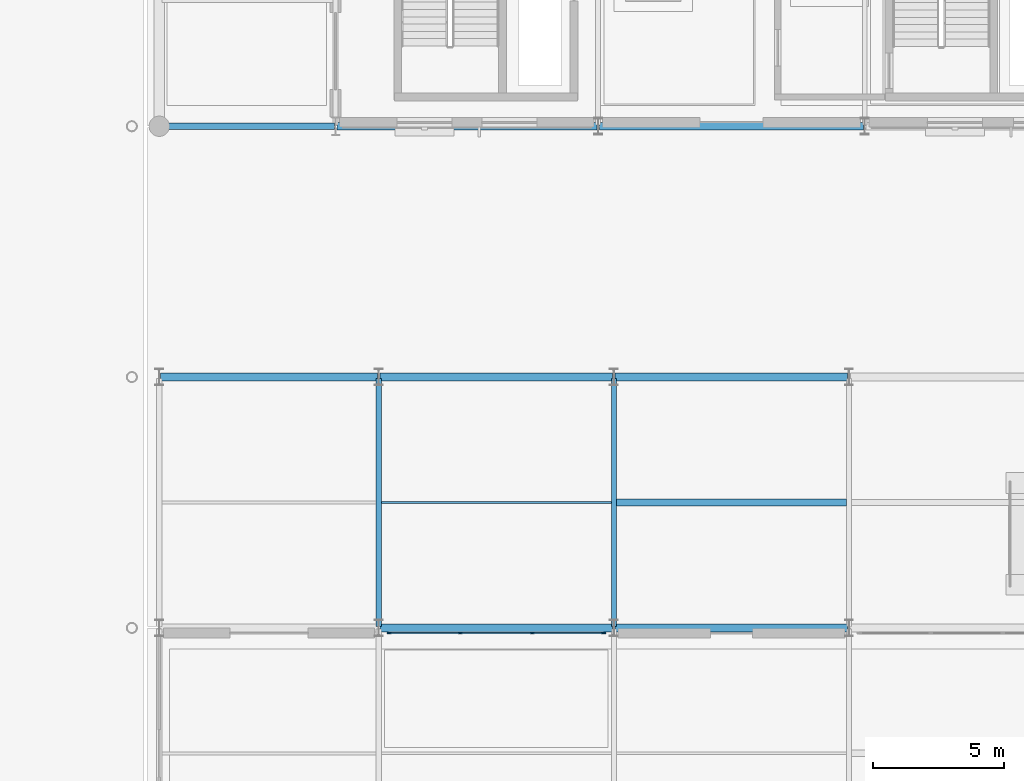
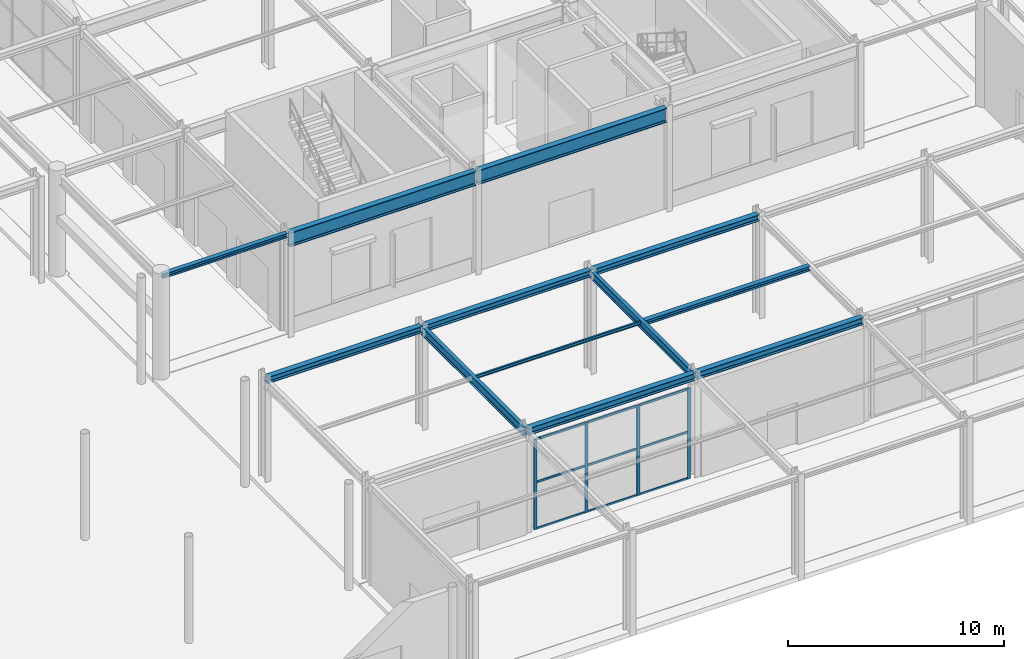
# One storey, part 30 of 113: 13 members, 12 beams, 1 element without a shape of its own.
"""IFC4 building model written with IfcOpenShell, lengths in metres."""

from ifc_helpers import new_model, si_unit, direction, frame, origin, origin_2d, place, context, subcontext, project, spatial, rectangle, i_section, extrude, material, layer, layer_set, material_profile, profile_set, type_object, element, aggregate, save


model = new_model("IFC4")

# Units and contexts
model_context = context("Model", 3, precision=1e-05, world=origin(), true_north=direction((0.0, 1.0)))
body_context = subcontext(model_context, "Body", "Model", "MODEL_VIEW")
ifc_project = project(units=[si_unit("LENGTHUNIT", "METRE"), si_unit("AREAUNIT", "SQUARE_METRE"), si_unit("VOLUMEUNIT", "CUBIC_METRE"), si_unit("PLANEANGLEUNIT", "RADIAN"), si_unit("MASSUNIT", "GRAM", prefix="KILO")], contexts=[model_context])

# Site, building, storey
site_placement = place(None, origin())
site = spatial("IfcSite", under=ifc_project, at=site_placement, CompositionType="ELEMENT")
building_placement = place(site_placement, origin())
building = spatial("IfcBuilding", under=site, at=building_placement, Name="Myrtia Square Station", CompositionType="ELEMENT")
storey_placement = place(building_placement, origin())
storey = spatial("IfcBuildingStorey", under=building, at=storey_placement, Name="L00", CompositionType="ELEMENT", Elevation=0.0)

# Beams
ifc_material_1 = material(Name="Steel S355", Category="steel")
ifc_material_profile_1 = material_profile(ifc_material_1, i_section(OverallWidth=0.300048828125, OverallDepth=0.360107421875, WebThickness=0.012451171875, FlangeThickness=0.0224609375, FilletRadius=0.027099609375, at=origin_2d()), Name="HEB 360")
ifc_profile_set_1 = profile_set([ifc_material_profile_1], Name="Steel S355")
beam_type_1 = type_object("IfcBeamType", Name="BM-HEB360", PredefinedType="BEAM", material=ifc_profile_set_1)
beam_1_placement = place(storey_placement, frame((72.64990234375, 19.199951171875, 5.580078125), z_axis=(1.0, 0.0, 0.0), x_axis=(0.0, 1.0, 0.0)))
element("IfcBeam", 1, at=beam_1_placement, inside=storey, type_object=beam_type_1, Name="Structural girder BMX-L00-0339", PredefinedType="BEAM", context=body_context, shape_type="SweptSolid", body=[
    extrude(i_section(OverallWidth=0.300048828125, OverallDepth=0.360107421875, WebThickness=0.012451171875, FlangeThickness=0.0224609375, FilletRadius=0.027099609375, at=origin_2d()), origin(), (0.0, 0.0, 1.0), 8.300048828125),
])
for number, where, z_axis, x_axis, name in (
    (2, (81.050048828125, 19.199951171875, 5.580078125), (1.0, 0.0, 0.0), (0.0, 1.0, 0.0), "Structural girder BMX-L00-0340"),
    (3, (90.050048828125, 19.199951171875, 5.580078125), (1.0, 0.0, 0.0), (0.0, 1.0, 0.0), "Structural girder BMX-L00-0341"),
):
    element("IfcBeam", number, at=place(storey_placement, frame(where, z_axis=z_axis, x_axis=x_axis)), inside=storey, type_object=beam_type_1, Name=name, PredefinedType="BEAM", context=body_context, shape_type="SweptSolid", body=[
        extrude(i_section(OverallWidth=0.300048828125, OverallDepth=0.360107421875, WebThickness=0.012451171875, FlangeThickness=0.0224609375, FilletRadius=0.027099609375, at=origin_2d()), origin(), (0.0, 0.0, 1.0), 8.89990234375),
    ])
ifc_material_profile_2 = material_profile(ifc_material_1, i_section(OverallWidth=0.300048828125, OverallDepth=0.39990234375, WebThickness=0.013427734375, FlangeThickness=0.02392578125, FilletRadius=0.027099609375, at=origin_2d()), Name="HEB 400")
ifc_profile_set_2 = profile_set([ifc_material_profile_2], Name="Steel S355")
beam_type_2 = type_object("IfcBeamType", Name="BM-HEB400", PredefinedType="BEAM", material=ifc_profile_set_2)
for number, where, z_axis, x_axis, name in (
    (4, (81.050048828125, 9.60009765625, 5.56005859375), (1.0, 0.0, 0.0), (0.0, 1.0, 0.0), "Structural girder BMX-L00-0328"),
    (5, (90.050048828125, 9.60009765625, 5.56005859375), (1.0, 0.0, 0.0), (0.0, 1.0, 0.0), "Structural girder BMX-L00-0329"),
):
    element("IfcBeam", number, at=place(storey_placement, frame(where, z_axis=z_axis, x_axis=x_axis)), inside=storey, type_object=beam_type_2, Name=name, PredefinedType="BEAM", context=body_context, shape_type="SweptSolid", body=[
        extrude(i_section(OverallWidth=0.300048828125, OverallDepth=0.39990234375, WebThickness=0.013427734375, FlangeThickness=0.02392578125, FilletRadius=0.027099609375, at=origin_2d()), origin(), (0.0, 0.0, 1.0), 8.89990234375),
    ])
ifc_material_profile_3 = material_profile(ifc_material_1, i_section(OverallWidth=0.18994140625, OverallDepth=0.449951171875, WebThickness=0.009521484375, FlangeThickness=0.0146484375, FilletRadius=0.02099609375, at=origin_2d()), Name="IPE 450")
ifc_profile_set_3 = profile_set([ifc_material_profile_3], Name="Steel S355")
beam_type_3 = type_object("IfcBeamType", Name="BM-IPE450", PredefinedType="BEAM", material=ifc_profile_set_3)
beam_2_placement = place(storey_placement, frame((90.0, 9.64990234375, 5.534912109375), z_axis=(0.0, 1.0, 0.0), x_axis=(-1.0, 0.0, 0.0)))
element("IfcBeam", 6, at=beam_2_placement, inside=storey, type_object=beam_type_3, Name="Structural girder BMY-L00-0359", PredefinedType="BEAM", context=body_context, shape_type="SweptSolid", body=[
    extrude(i_section(OverallWidth=0.18994140625, OverallDepth=0.449951171875, WebThickness=0.009521484375, FlangeThickness=0.0146484375, FilletRadius=0.02099609375, at=origin_2d()), origin(), (0.0, 0.0, 1.0), 9.5),
])
ifc_material_profile_4 = material_profile(ifc_material_1, i_section(OverallWidth=0.199951171875, OverallDepth=0.5, WebThickness=0.01025390625, FlangeThickness=0.01611328125, FilletRadius=0.02099609375, at=origin_2d()), Name="IPE 500")
ifc_profile_set_4 = profile_set([ifc_material_profile_4], Name="Steel S355")
beam_type_4 = type_object("IfcBeamType", Name="BM-IPE500", PredefinedType="BEAM", material=ifc_profile_set_4)
beam_3_placement = place(storey_placement, frame((81.0, 9.64990234375, 5.510009765625), z_axis=(0.0, 1.0, 0.0), x_axis=(-1.0, 0.0, 0.0)))
element("IfcBeam", 7, at=beam_3_placement, inside=storey, type_object=beam_type_4, Name="Structural girder BMY-L00-0357", PredefinedType="BEAM", context=body_context, shape_type="SweptSolid", body=[
    extrude(i_section(OverallWidth=0.199951171875, OverallDepth=0.5, WebThickness=0.01025390625, FlangeThickness=0.01611328125, FilletRadius=0.02099609375, at=origin_2d()), origin(), (0.0, 0.0, 1.0), 9.5),
])

# Curtain wall, members
ifc_material_2 = material(Name="Dark bronze anodised aluminium", Category="aluminium")
ifc_layer = layer(ifc_material_2, 0.159912109375, Name="Dark bronze anodised aluminium")
ifc_layer_set = layer_set([ifc_layer], Name="Dark bronze anodised aluminium")
curtain_wall_type = type_object("IfcCurtainWallType", Name="CW-TYPE-31-826x510", PredefinedType="USERDEFINED", material=ifc_layer_set)
curtain_wall_placement = place(storey_placement, origin())
curtain_wall = element("IfcCurtainWall", 8, at=curtain_wall_placement, inside=storey, type_object=curtain_wall_type, Name="Concourse curtain wall CW-L00-104", ObjectType="CONCOURSE CURTAIN WALL", PredefinedType="USERDEFINED")
ifc_material_profile_5 = material_profile(ifc_material_2, rectangle(XDim=0.06005859375, YDim=0.159912109375, at=origin_2d()), Name="ALU-M 60x160")
ifc_profile_set_5 = profile_set([ifc_material_profile_5], Name="Dark bronze anodised aluminium")
member_type_1 = type_object("IfcMemberType", Name="CWM-60x160", PredefinedType="MULLION", material=ifc_profile_set_5)
member_1_placement = place(storey_placement, frame((81.39990234375, 9.39990234375, 0.0), z_axis=(0.0, 0.0, 1.0), x_axis=(0.0, 1.0, 0.0)))
member_1 = element("IfcMember", 9, at=member_1_placement, type_object=member_type_1, Name="CW-104 mullion 1", PredefinedType="MULLION", context=body_context, shape_type="SweptSolid", body=[
    extrude(rectangle(XDim=0.06005859375, YDim=0.159912109375, at=origin_2d()), origin(), (0.0, 0.0, 1.0), 5.10009765625),
])
member_2_placement = place(storey_placement, frame((84.123291015625, 9.39990234375, 0.0), z_axis=(0.0, 0.0, 1.0), x_axis=(0.0, 1.0, 0.0)))
member_2 = element("IfcMember", 10, at=member_2_placement, type_object=member_type_1, Name="CW-104 mullion 2", PredefinedType="MULLION", context=body_context, shape_type="SweptSolid", body=[
    extrude(rectangle(XDim=0.06005859375, YDim=0.159912109375, at=origin_2d()), origin(), (0.0, 0.0, 1.0), 5.10009765625),
])
member_3_placement = place(storey_placement, frame((86.876708984375, 9.39990234375, 0.0), z_axis=(0.0, 0.0, 1.0), x_axis=(0.0, 1.0, 0.0)))
member_3 = element("IfcMember", 11, at=member_3_placement, type_object=member_type_1, Name="CW-104 mullion 3", PredefinedType="MULLION", context=body_context, shape_type="SweptSolid", body=[
    extrude(rectangle(XDim=0.06005859375, YDim=0.159912109375, at=origin_2d()), origin(), (0.0, 0.0, 1.0), 5.10009765625),
])
member_4_placement = place(storey_placement, frame((89.60009765625, 9.39990234375, 0.0), z_axis=(0.0, 0.0, 1.0), x_axis=(0.0, 1.0, 0.0)))
member_4 = element("IfcMember", 12, at=member_4_placement, type_object=member_type_1, Name="CW-104 mullion 4", PredefinedType="MULLION", context=body_context, shape_type="SweptSolid", body=[
    extrude(rectangle(XDim=0.06005859375, YDim=0.159912109375, at=origin_2d()), origin(), (0.0, 0.0, 1.0), 5.10009765625),
])
ifc_material_profile_6 = material_profile(ifc_material_2, rectangle(XDim=0.06005859375, YDim=0.1201171875, at=origin_2d()), Name="ALU-T 60x120")
ifc_profile_set_6 = profile_set([ifc_material_profile_6], Name="Dark bronze anodised aluminium")
member_type_2 = type_object("IfcMemberType", Name="CWT-60x120", PredefinedType="USERDEFINED", material=ifc_profile_set_6)
member_5_placement = place(storey_placement, frame((81.429931640625, 9.39990234375, 0.030029296875), z_axis=(1.0, 0.0, 0.0), x_axis=(0.0, 1.0, 0.0)))
member_5 = element("IfcMember", 13, at=member_5_placement, type_object=member_type_2, Name="CW-104 transom 1.1", ObjectType="TRANSOM", PredefinedType="USERDEFINED", context=body_context, shape_type="SweptSolid", body=[
    extrude(rectangle(XDim=0.06005859375, YDim=0.1201171875, at=origin_2d()), origin(), (0.0, 0.0, 1.0), 2.663330078125),
])
member_6_placement = place(storey_placement, frame((81.429931640625, 9.39990234375, 2.652099609375), z_axis=(1.0, 0.0, 0.0), x_axis=(0.0, 1.0, 0.0)))
member_6 = element("IfcMember", 14, at=member_6_placement, type_object=member_type_2, Name="CW-104 transom 1.2", ObjectType="TRANSOM", PredefinedType="USERDEFINED", context=body_context, shape_type="SweptSolid", body=[
    extrude(rectangle(XDim=0.06005859375, YDim=0.1201171875, at=origin_2d()), origin(), (0.0, 0.0, 1.0), 2.663330078125),
])
member_7_placement = place(storey_placement, frame((81.429931640625, 9.39990234375, 5.070068359375), z_axis=(1.0, 0.0, 0.0), x_axis=(0.0, 1.0, 0.0)))
member_7 = element("IfcMember", 15, at=member_7_placement, type_object=member_type_2, Name="CW-104 transom 1.3", ObjectType="TRANSOM", PredefinedType="USERDEFINED", context=body_context, shape_type="SweptSolid", body=[
    extrude(rectangle(XDim=0.06005859375, YDim=0.1201171875, at=origin_2d()), origin(), (0.0, 0.0, 1.0), 2.663330078125),
])
member_8_placement = place(storey_placement, frame((84.1533203125, 9.39990234375, 0.030029296875), z_axis=(1.0, 0.0, 0.0), x_axis=(0.0, 1.0, 0.0)))
member_8 = element("IfcMember", 16, at=member_8_placement, type_object=member_type_2, Name="CW-104 transom 2.1", ObjectType="TRANSOM", PredefinedType="USERDEFINED", context=body_context, shape_type="SweptSolid", body=[
    extrude(rectangle(XDim=0.06005859375, YDim=0.1201171875, at=origin_2d()), origin(), (0.0, 0.0, 1.0), 2.693359375),
])
member_9_placement = place(storey_placement, frame((84.1533203125, 9.39990234375, 2.652099609375), z_axis=(1.0, 0.0, 0.0), x_axis=(0.0, 1.0, 0.0)))
member_9 = element("IfcMember", 17, at=member_9_placement, type_object=member_type_2, Name="CW-104 transom 2.2", ObjectType="TRANSOM", PredefinedType="USERDEFINED", context=body_context, shape_type="SweptSolid", body=[
    extrude(rectangle(XDim=0.06005859375, YDim=0.1201171875, at=origin_2d()), origin(), (0.0, 0.0, 1.0), 2.693359375),
])
member_10_placement = place(storey_placement, frame((84.1533203125, 9.39990234375, 5.070068359375), z_axis=(1.0, 0.0, 0.0), x_axis=(0.0, 1.0, 0.0)))
member_10 = element("IfcMember", 18, at=member_10_placement, type_object=member_type_2, Name="CW-104 transom 2.3", ObjectType="TRANSOM", PredefinedType="USERDEFINED", context=body_context, shape_type="SweptSolid", body=[
    extrude(rectangle(XDim=0.06005859375, YDim=0.1201171875, at=origin_2d()), origin(), (0.0, 0.0, 1.0), 2.693359375),
])
member_11_placement = place(storey_placement, frame((86.90673828125, 9.39990234375, 0.030029296875), z_axis=(1.0, 0.0, 0.0), x_axis=(0.0, 1.0, 0.0)))
member_11 = element("IfcMember", 19, at=member_11_placement, type_object=member_type_2, Name="CW-104 transom 3.1", ObjectType="TRANSOM", PredefinedType="USERDEFINED", context=body_context, shape_type="SweptSolid", body=[
    extrude(rectangle(XDim=0.06005859375, YDim=0.1201171875, at=origin_2d()), origin(), (0.0, 0.0, 1.0), 2.663330078125),
])
member_12_placement = place(storey_placement, frame((86.90673828125, 9.39990234375, 2.652099609375), z_axis=(1.0, 0.0, 0.0), x_axis=(0.0, 1.0, 0.0)))
member_12 = element("IfcMember", 20, at=member_12_placement, type_object=member_type_2, Name="CW-104 transom 3.2", ObjectType="TRANSOM", PredefinedType="USERDEFINED", context=body_context, shape_type="SweptSolid", body=[
    extrude(rectangle(XDim=0.06005859375, YDim=0.1201171875, at=origin_2d()), origin(), (0.0, 0.0, 1.0), 2.663330078125),
])
member_13_placement = place(storey_placement, frame((86.90673828125, 9.39990234375, 5.070068359375), z_axis=(1.0, 0.0, 0.0), x_axis=(0.0, 1.0, 0.0)))
member_13 = element("IfcMember", 21, at=member_13_placement, type_object=member_type_2, Name="CW-104 transom 3.3", ObjectType="TRANSOM", PredefinedType="USERDEFINED", context=body_context, shape_type="SweptSolid", body=[
    extrude(rectangle(XDim=0.06005859375, YDim=0.1201171875, at=origin_2d()), origin(), (0.0, 0.0, 1.0), 2.663330078125),
])
aggregate(curtain_wall, [member_1, member_2, member_3, member_4, member_5, member_6, member_7, member_8, member_9, member_10, member_11, member_12, member_13])

# Beams
ifc_material_profile_7 = material_profile(ifc_material_1, i_section(OverallWidth=0.260009765625, OverallDepth=0.25, WebThickness=0.007568359375, FlangeThickness=0.012451171875, FilletRadius=0.02392578125, at=origin_2d()), Name="HEA 260")
ifc_profile_set_7 = profile_set([ifc_material_profile_7], Name="Steel S355")
beam_type_5 = type_object("IfcBeamType", Name="JST-HEA260", PredefinedType="JOIST", material=ifc_profile_set_7)
beam_4_placement = place(storey_placement, frame((90.094970703125, 14.39990234375, 5.635009765625), z_axis=(1.0, 0.0, 0.0), x_axis=(0.0, 1.0, 0.0)))
element("IfcBeam", 22, at=beam_4_placement, inside=storey, type_object=beam_type_5, Name="Composite floor joist L00-0038", PredefinedType="JOIST", context=body_context, shape_type="SweptSolid", body=[
    extrude(i_section(OverallWidth=0.260009765625, OverallDepth=0.25, WebThickness=0.007568359375, FlangeThickness=0.012451171875, FilletRadius=0.02392578125, at=origin_2d()), origin(), (0.0, 0.0, 1.0), 8.81494140625),
])
ifc_material_profile_8 = material_profile(ifc_material_1, i_section(OverallWidth=0.091064453125, OverallDepth=0.179931640625, WebThickness=0.00537109375, FlangeThickness=0.008056640625, FilletRadius=0.009033203125, at=origin_2d()), Name="IPE 180")
ifc_profile_set_8 = profile_set([ifc_material_profile_8], Name="Steel S355")
beam_type_6 = type_object("IfcBeamType", Name="JST-IPE180", PredefinedType="JOIST", material=ifc_profile_set_8)
beam_5_placement = place(storey_placement, frame((81.10009765625, 14.39990234375, 5.669921875), z_axis=(1.0, 0.0, 0.0), x_axis=(0.0, 1.0, 0.0)))
element("IfcBeam", 23, at=beam_5_placement, inside=storey, type_object=beam_type_6, Name="Composite floor joist L00-0036", PredefinedType="JOIST", context=body_context, shape_type="SweptSolid", body=[
    extrude(i_section(OverallWidth=0.091064453125, OverallDepth=0.179931640625, WebThickness=0.00537109375, FlangeThickness=0.008056640625, FilletRadius=0.009033203125, at=origin_2d()), origin(), (0.0, 0.0, 1.0), 8.804931640625),
])
ifc_material_profile_9 = material_profile(ifc_material_1, i_section(OverallWidth=0.239990234375, OverallDepth=0.239990234375, WebThickness=0.010009765625, FlangeThickness=0.01708984375, FilletRadius=0.02099609375, at=origin_2d()), Name="HEB 240")
ifc_profile_set_9 = profile_set([ifc_material_profile_9], Name="Steel S355")
beam_type_7 = type_object("IfcBeamType", Name="SPN-HEB240", PredefinedType="SPANDREL", material=ifc_profile_set_9)
beam_6_placement = place(storey_placement, frame((72.64990234375, 28.800048828125, 5.6201171875), z_axis=(1.0, 0.0, 0.0), x_axis=(0.0, 1.0, 0.0)))
element("IfcBeam", 24, at=beam_6_placement, inside=storey, type_object=beam_type_7, Name="Structural girder SPN-L00-0076", PredefinedType="SPANDREL", context=body_context, shape_type="SweptSolid", body=[
    extrude(i_section(OverallWidth=0.239990234375, OverallDepth=0.239990234375, WebThickness=0.010009765625, FlangeThickness=0.01708984375, FilletRadius=0.02099609375, at=origin_2d()), origin(), (0.0, 0.0, 1.0), 6.650146484375),
])
ifc_material_profile_10 = material_profile(ifc_material_1, i_section(OverallWidth=0.300048828125, OverallDepth=0.800048828125, WebThickness=0.017578125, FlangeThickness=0.032958984375, FilletRadius=0.030029296875, at=origin_2d()), Name="HEB 800")
ifc_profile_set_10 = profile_set([ifc_material_profile_10], Name="Steel S355")
beam_type_8 = type_object("IfcBeamType", Name="TG-HEB800", PredefinedType="USERDEFINED", material=ifc_profile_set_10)
beam_7_placement = place(storey_placement, frame((79.39990234375, 28.800048828125, 5.340087890625), z_axis=(1.0, 0.0, 0.0), x_axis=(0.0, 1.0, 0.0)))
element("IfcBeam", 25, at=beam_7_placement, inside=storey, type_object=beam_type_8, Name="Structural girder TG-L00-0080", ObjectType="TRANSFER GIRDER", PredefinedType="USERDEFINED", context=body_context, shape_type="SweptSolid", body=[
    extrude(i_section(OverallWidth=0.300048828125, OverallDepth=0.800048828125, WebThickness=0.017578125, FlangeThickness=0.032958984375, FilletRadius=0.030029296875, at=origin_2d()), origin(), (0.0, 0.0, 1.0), 9.9501953125),
])
beam_8_placement = place(storey_placement, frame((89.449951171875, 28.800048828125, 5.340087890625), z_axis=(1.0, 0.0, 0.0), x_axis=(0.0, 1.0, 0.0)))
element("IfcBeam", 26, at=beam_8_placement, inside=storey, type_object=beam_type_8, Name="Structural girder TG-L00-0081", ObjectType="TRANSFER GIRDER", PredefinedType="USERDEFINED", context=body_context, shape_type="SweptSolid", body=[
    extrude(i_section(OverallWidth=0.300048828125, OverallDepth=0.800048828125, WebThickness=0.017578125, FlangeThickness=0.032958984375, FilletRadius=0.030029296875, at=origin_2d()), origin(), (0.0, 0.0, 1.0), 10.10009765625),
])

save(model, "model.ifc")
